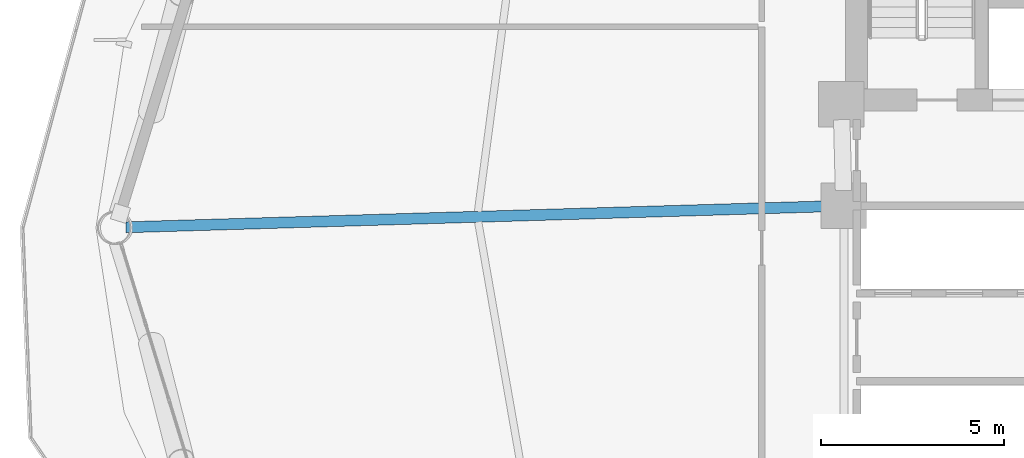
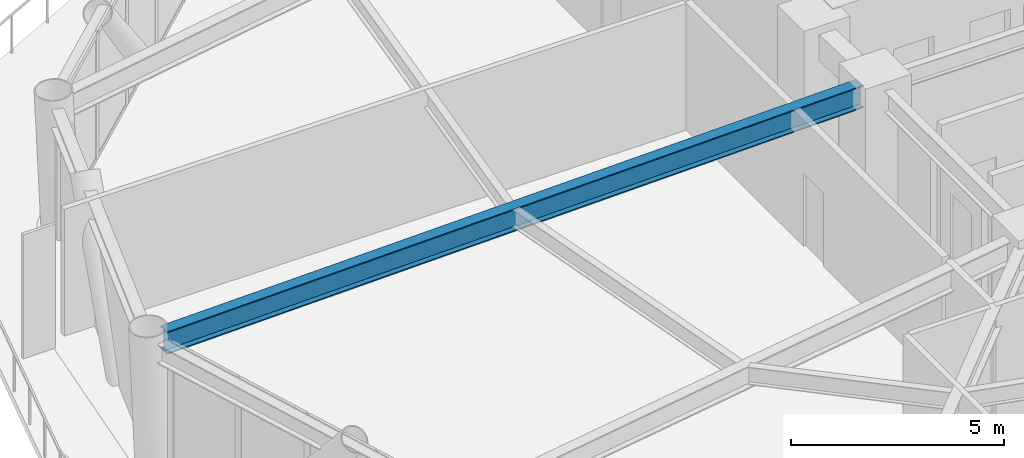
# One storey, part 10 of 24: 1 beam.
"""IFC4 building model written with IfcOpenShell, lengths in metres."""

from ifc_helpers import new_model, si_unit, direction, frame, origin, origin_2d, place, context, subcontext, project, spatial, i_section, extrude, material, material_profile, profile_set, type_object, element, save


model = new_model("IFC4")

# Units and contexts
model_context = context("Model", 3, precision=1e-05, world=origin(), true_north=direction((0.0, 1.0)))
body_context = subcontext(model_context, "Body", "Model", "MODEL_VIEW")
ifc_project = project(units=[si_unit("LENGTHUNIT", "METRE"), si_unit("AREAUNIT", "SQUARE_METRE"), si_unit("VOLUMEUNIT", "CUBIC_METRE"), si_unit("PLANEANGLEUNIT", "RADIAN"), si_unit("MASSUNIT", "GRAM", prefix="KILO")], contexts=[model_context])

# Site, building, storey
site_placement = place(None, origin())
site = spatial("IfcSite", under=ifc_project, at=site_placement, CompositionType="ELEMENT")
building_placement = place(site_placement, origin())
building = spatial("IfcBuilding", under=site, at=building_placement, Name="Varnakorn Sky Granary", CompositionType="ELEMENT")
storey_placement = place(building_placement, frame((0.0, 0.0, 43.199951171875)))
storey = spatial("IfcBuildingStorey", under=building, at=storey_placement, Name="L10", CompositionType="ELEMENT", Elevation=43.199951171875)

# Beam
ifc_material = material(Name="Steel S355JR", Category="steel")
ifc_material_profile = material_profile(ifc_material, i_section(OverallWidth=0.300048828125, OverallDepth=0.64990234375, WebThickness=0.01611328125, FlangeThickness=0.031005859375, at=origin_2d()), Name="HE 650 B")
ifc_profile_set = profile_set([ifc_material_profile], Name="Steel S355JR")
beam_type = type_object("IfcBeamType", Name="BM-RAD-Z1", PredefinedType="BEAM", material=ifc_profile_set)
beam_placement = place(storey_placement, frame((-2.769775390625, 0.58740234375, 3.31494140625), z_axis=(-0.999554865632, -0.029834050887, 0.0), x_axis=(0.029834050887, -0.999554865632, 0.0)))
element("IfcBeam", 1, at=beam_placement, inside=storey, type_object=beam_type, Name="Radial Floor Girder RG07 L10", PredefinedType="BEAM", context=body_context, shape_type="SweptSolid", body=[
    extrude(i_section(OverallWidth=0.300048828125, OverallDepth=0.64990234375, WebThickness=0.01611328125, FlangeThickness=0.031005859375, at=origin_2d()), origin(), (0.0, 0.0, 1.0), 19.2470703125),
])

save(model, "model.ifc")
